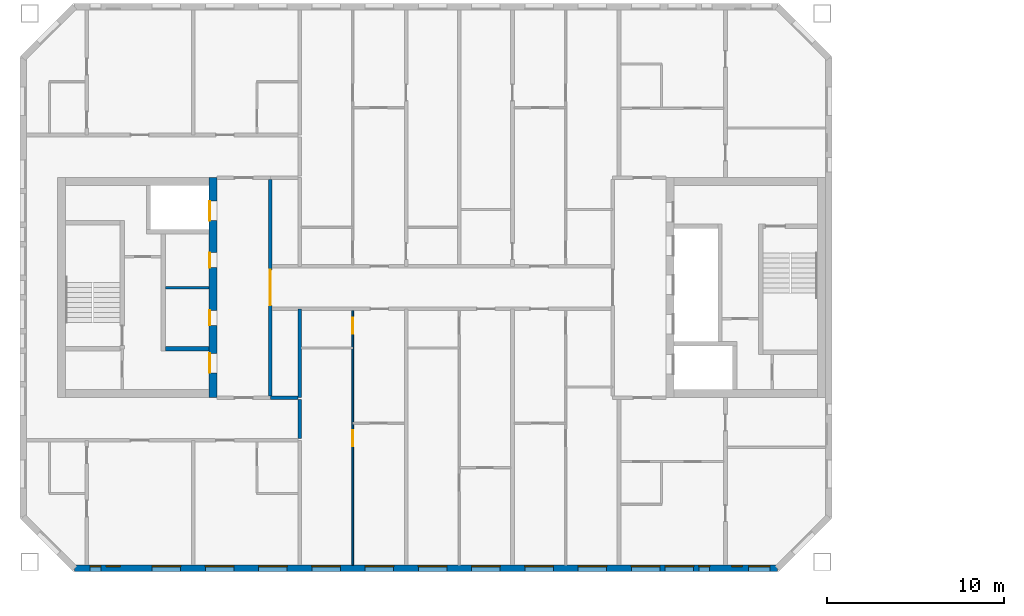
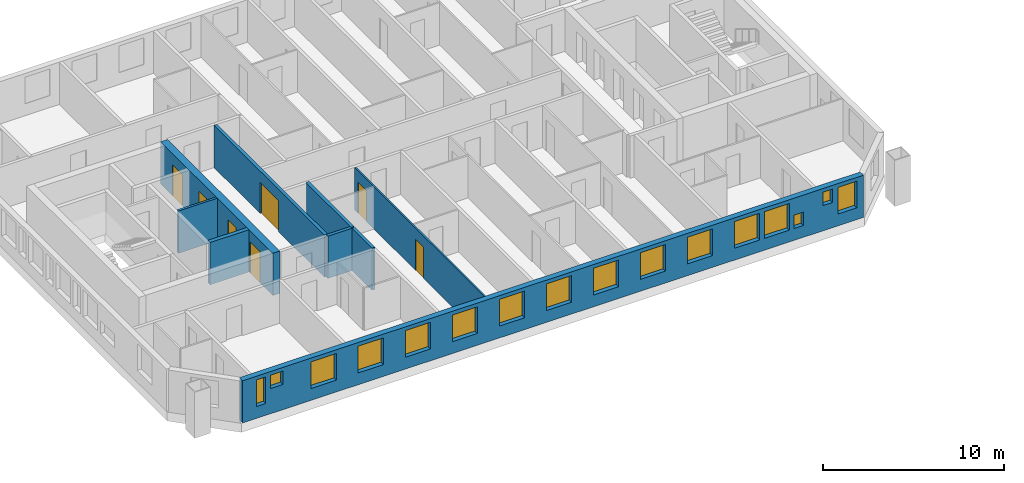
# One storey, part 3 of 16: 16 windows, 9 walls, 7 doors, 23 openings.
"""IFC4 building model written with IfcOpenShell, lengths in metres."""

import ifcopenshell
import ifcopenshell.guid

model = None  # the IFC model being written
_history = None  # IfcOwnerHistory: only IFC2X3 demands one
_inside = {}  # id of a spatial element -> (the spatial element, [elements in it])
_under = {}  # id of a project, library or spatial element -> (it, [spatial elements below it])
_declared = {}  # id of a project -> (the project, [libraries it declares])
_typed = {}  # id of a type object -> (the type object, [elements of that type])
_made_of = {}  # id of a material, layer set ... -> (it, [elements and type objects made of it])


def new_model(schema):
    """Start an empty IFC model of exactly this schema.

    Asked for "IFC4X3", IfcOpenShell would pick the latest addendum, in which some entities
    have other attributes; the version numbers below select the first issue.
    IFC2X3 requires an IfcOwnerHistory on every rooted entity: one is made here for all.
    """
    global model, _history
    if schema == "IFC4X3":
        model = ifcopenshell.file(schema_version=(4, 3, 0, 0))
    else:
        model = ifcopenshell.file(schema=schema)
    _inside.clear()
    _under.clear()
    _declared.clear()
    _typed.clear()
    _made_of.clear()
    _history = None
    if model.schema == "IFC2X3":
        org = make("IfcOrganization", Name="unknown")
        user = make(
            "IfcPersonAndOrganization",
            ThePerson=make("IfcPerson", FamilyName="unknown"),
            TheOrganization=org,
        )
        app = make(
            "IfcApplication",
            ApplicationDeveloper=org,
            Version="unknown",
            ApplicationFullName="unknown",
            ApplicationIdentifier="unknown",
        )
        _history = make(
            "IfcOwnerHistory",
            OwningUser=user,
            OwningApplication=app,
            ChangeAction="ADDED",
            CreationDate=0,
        )
    return model


def make(cls, **values):
    """One entity of the class cls with the attributes given. An attribute that is None is left unset."""
    return model.create_entity(
        cls, **{name: value for name, value in values.items() if value is not None}
    )


def rooted(cls, **values):
    """An entity with a GlobalId (a new one), such as an element, a storey or a relation."""
    return make(cls, GlobalId=ifcopenshell.guid.new(), OwnerHistory=_history, **values)


def si_unit(unit_type, name, prefix=None):
    """IfcSIUnit, for example si_unit("LENGTHUNIT", "METRE", prefix="MILLI")."""
    return make("IfcSIUnit", UnitType=unit_type, Prefix=prefix, Name=name)


def assignment(units):
    """IfcUnitAssignment: the units of a project."""
    return None if units is None else make("IfcUnitAssignment", Units=units)


def point(xyz):
    """IfcCartesianPoint."""
    return None if xyz is None else make("IfcCartesianPoint", Coordinates=xyz)


def direction(xyz):
    """IfcDirection."""
    return None if xyz is None else make("IfcDirection", DirectionRatios=xyz)


def frame(location, z_axis=None, x_axis=None):
    """IfcAxis2Placement3D, a coordinate frame: its origin and axes. An axis left out is left unset."""
    return make(
        "IfcAxis2Placement3D",
        Location=point(location),
        Axis=direction(z_axis),
        RefDirection=direction(x_axis),
    )


def frame_2d(location, x_axis=None):
    """IfcAxis2Placement2D, a coordinate frame in the plane: its origin and x axis."""
    return make(
        "IfcAxis2Placement2D", Location=point(location), RefDirection=direction(x_axis)
    )


def origin():
    """The frame at (0, 0, 0) with its axes left unset."""
    return frame((0.0, 0.0, 0.0))


def place(relative_to, where):
    """IfcLocalPlacement: puts the frame where relative to a parent placement (None: the world)."""
    return make(
        "IfcLocalPlacement", PlacementRelTo=relative_to, RelativePlacement=where
    )


def context(
    kind, dimensions, precision=None, world=None, true_north=None, identifier=None
):
    """IfcGeometricRepresentationContext, for example the 3D "Model" context."""
    return make(
        "IfcGeometricRepresentationContext",
        ContextIdentifier=identifier,
        ContextType=kind,
        CoordinateSpaceDimension=dimensions,
        Precision=precision,
        WorldCoordinateSystem=world,
        TrueNorth=true_north,
    )


def subcontext(parent, identifier, kind, view, scale=None):
    """IfcGeometricRepresentationSubContext, for example "Body" below "Model"."""
    return make(
        "IfcGeometricRepresentationSubContext",
        ContextIdentifier=identifier,
        ContextType=kind,
        ParentContext=parent,
        TargetScale=scale,
        TargetView=view,
    )


def project(units=None, contexts=None):
    """IfcProject with its units and contexts."""
    return rooted(
        "IfcProject",
        Name="project",
        RepresentationContexts=contexts,
        UnitsInContext=assignment(units),
    )


def spatial(cls, under=None, at=None, **own):
    """A site, building, storey or space (cls), placed at a placement, below another one or the project."""
    s = rooted(cls, ObjectPlacement=at, **own)
    if under is not None:
        _under.setdefault(under.id(), (under, []))[1].append(s)
    return s


def profile(cls, at=None, kind="AREA", **sizes):
    """A parametric profile (cls). Its sizes go by their IFC names, for example OverallWidth=200.0."""
    return make(cls, ProfileType=kind, Position=at, **sizes)


def rectangle(**sizes):
    """IfcRectangleProfileDef."""
    return profile("IfcRectangleProfileDef", **sizes)


def extrude(swept, where, along, depth):
    """IfcExtrudedAreaSolid: the profile swept, set in the frame where, extruded along a direction by depth."""
    return make(
        "IfcExtrudedAreaSolid",
        SweptArea=swept,
        Position=where,
        ExtrudedDirection=direction(along),
        Depth=depth,
    )


def shape(context_of_items, identifier, shape_type, items):
    """IfcShapeRepresentation: the items that make up one representation, for example the "Body"."""
    return make(
        "IfcShapeRepresentation",
        ContextOfItems=context_of_items,
        RepresentationIdentifier=identifier,
        RepresentationType=shape_type,
        Items=items,
    )


def material(Name=None, Category=None):
    """IfcMaterial."""
    return make("IfcMaterial", Name=Name, Category=Category)


def layer(
    of_material, thickness, ventilated=None, Name=None, Category=None, Priority=None
):
    """IfcMaterialLayer: one layer of a wall or slab, of a material (None: an air gap)."""
    return make(
        "IfcMaterialLayer",
        Material=of_material,
        LayerThickness=thickness,
        IsVentilated=ventilated,
        Name=Name,
        Category=Category,
        Priority=Priority,
    )


def layer_set(layers, Name=None):
    """IfcMaterialLayerSet."""
    return make("IfcMaterialLayerSet", MaterialLayers=layers, LayerSetName=Name)


def made_of(thing, what):
    """Note that an element or type object is made of a material, layer set ...; save() writes the relation."""
    if what is not None:
        _made_of.setdefault(what.id(), (what, []))[1].append(thing)
    return thing


def type_object(cls, material=None, **own):
    """A type object (cls), such as IfcWallType, which elements share."""
    return made_of(rooted(cls, **own), material)


def element(
    cls,
    number,
    at=None,
    inside=None,
    cuts=None,
    type_object=None,
    material=None,
    context=None,
    identifier="Body",
    shape_type=None,
    held_by="IfcProductDefinitionShape",
    body=None,
    shapes=None,
    **own,
):
    """One element of the class cls, such as IfcWall. Its Tag is "e" and its number.

    at: its placement. inside: the storey or other place that contains it. cuts: it is an
    opening in that element (IfcRelVoidsElement). A single representation is given by context,
    identifier, shape_type and body (its items); several are given by shapes. held_by: the class
    of the entity that holds the representations. save() writes the other relations.
    """
    e = rooted(cls, Tag="e%d" % number, ObjectPlacement=at, **own)
    if body is not None:
        shapes = [shape(context, identifier, shape_type, body)]
    if shapes is not None:
        e.Representation = make(held_by, Representations=shapes)
    if inside is not None:
        _inside.setdefault(inside.id(), (inside, []))[1].append(e)
    if cuts is not None:
        rooted(
            "IfcRelVoidsElement", RelatingBuildingElement=cuts, RelatedOpeningElement=e
        )
    if type_object is not None:
        _typed.setdefault(type_object.id(), (type_object, []))[1].append(e)
    return made_of(e, material)


def fill(opening, filler):
    """IfcRelFillsElement: the door or window that sits in an opening."""
    return rooted(
        "IfcRelFillsElement",
        RelatingOpeningElement=opening,
        RelatedBuildingElement=filler,
    )


def aggregate(whole, parts):
    """IfcRelAggregates: a whole, such as a stair, and the parts it consists of."""
    return rooted("IfcRelAggregates", RelatingObject=whole, RelatedObjects=parts)


def save(model, path):
    """Write the relations noted so far, then the file.

    IfcRelAggregates (storeys below a building ...), IfcRelContainedInSpatialStructure (elements
    in a storey), IfcRelDefinesByType, IfcRelAssociatesMaterial and IfcRelDeclares: one each for
    every whole, place, type object, material and project.
    """
    for whole, parts in _under.values():
        aggregate(whole, parts)
    for where, things in _inside.values():
        rooted(
            "IfcRelContainedInSpatialStructure",
            RelatedElements=things,
            RelatingStructure=where,
        )
    for kind, things in _typed.values():
        rooted("IfcRelDefinesByType", RelatedObjects=things, RelatingType=kind)
    for what, things in _made_of.values():
        rooted("IfcRelAssociatesMaterial", RelatedObjects=things, RelatingMaterial=what)
    for by, libraries in _declared.values():
        rooted("IfcRelDeclares", RelatingContext=by, RelatedDefinitions=libraries)
    model.write(path)


model = new_model("IFC4")

# Units and contexts
model_context = context("Model", 3, precision=1e-05, world=origin(), true_north=direction((0.0, 1.0)))
body_context = subcontext(model_context, "Body", "Model", "MODEL_VIEW")
ifc_project = project(units=[si_unit("LENGTHUNIT", "METRE"), si_unit("AREAUNIT", "SQUARE_METRE"), si_unit("VOLUMEUNIT", "CUBIC_METRE"), si_unit("PLANEANGLEUNIT", "RADIAN"), si_unit("MASSUNIT", "GRAM", prefix="KILO")], contexts=[model_context])

# Site, building, storey
site_placement = place(None, origin())
site = spatial("IfcSite", under=ifc_project, at=site_placement, CompositionType="ELEMENT")
building_placement = place(site_placement, origin())
building = spatial("IfcBuilding", under=site, at=building_placement, Name="Tuart Gate Housing", CompositionType="ELEMENT")
storey_placement = place(building_placement, frame((0.0, 0.0, 175.800048828125)))
storey = spatial("IfcBuildingStorey", under=building, at=storey_placement, Name="L49", CompositionType="ELEMENT", Elevation=175.800048828125)

# Wall, openings, windows
ifc_material_1 = material(Name="Brick", Category="masonry")
ifc_layer_1 = layer(ifc_material_1, 0.360107421875)
ifc_layer_set_1 = layer_set([ifc_layer_1], Name="Brick pier and spandrel wall 360")
wall_type_1 = type_object("IfcWallType", Name="Brick pier and spandrel wall 360", PredefinedType="STANDARD", material=ifc_layer_set_1)
wall_1_placement = place(storey_placement, frame((33.32470703125, 54.179931640625, 0.0), z_axis=(0.0, 0.0, 1.0), x_axis=(1.0, 0.0, 0.0)))
wall_1 = element("IfcWall", 1, at=wall_1_placement, inside=storey, type_object=wall_type_1, Name="External wall A-S L49", PredefinedType="STANDARD", context=body_context, shape_type="SweptSolid", body=[
    extrude(rectangle(XDim=39.600830078125, YDim=0.360107421875, at=frame_2d((19.80029296875, 0.0))), origin(), (0.0, 0.0, 1.0), 2.849853515625),
])
opening_1_placement = place(wall_1_placement, frame((0.87548828125, 0.0, 0.800048828125)))
opening_1 = element("IfcOpeningElement", 2, at=opening_1_placement, cuts=wall_1, Name="Opening W1E", PredefinedType="OPENING", context=body_context, shape_type="SweptSolid", body=[
    extrude(rectangle(XDim=0.60009765625, YDim=1.800048828125, at=frame_2d((0.300048828125, 0.89990234375))), frame((0.0, 0.18994140625, 0.0), z_axis=(0.0, -1.0, 0.0), x_axis=(1.0, 0.0, 0.0)), (0.0, 0.0, 1.0), 0.380126953125),
])
opening_2_placement = place(wall_1_placement, frame((4.37548828125, 0.0, 0.800048828125)))
opening_2 = element("IfcOpeningElement", 3, at=opening_2_placement, cuts=wall_1, Name="Opening W1", PredefinedType="OPENING", context=body_context, shape_type="SweptSolid", body=[
    extrude(rectangle(XDim=1.60009765625, YDim=1.800048828125, at=frame_2d((0.800048828125, 0.89990234375))), frame((0.0, 0.18994140625, 0.0), z_axis=(0.0, -1.0, 0.0), x_axis=(1.0, 0.0, 0.0)), (0.0, 0.0, 1.0), 0.380126953125),
])
opening_3_placement = place(wall_1_placement, frame((7.37548828125, 0.0, 0.800048828125)))
opening_3 = element("IfcOpeningElement", 4, at=opening_3_placement, cuts=wall_1, Name="Opening W1", PredefinedType="OPENING", context=body_context, shape_type="SweptSolid", body=[
    extrude(rectangle(XDim=1.60009765625, YDim=1.800048828125, at=frame_2d((0.800048828125, 0.89990234375))), frame((0.0, 0.18994140625, 0.0), z_axis=(0.0, -1.0, 0.0), x_axis=(1.0, 0.0, 0.0)), (0.0, 0.0, 1.0), 0.380126953125),
])
opening_4_placement = place(wall_1_placement, frame((10.37548828125, 0.0, 0.800048828125)))
opening_4 = element("IfcOpeningElement", 5, at=opening_4_placement, cuts=wall_1, Name="Opening W1", PredefinedType="OPENING", context=body_context, shape_type="SweptSolid", body=[
    extrude(rectangle(XDim=1.60009765625, YDim=1.800048828125, at=frame_2d((0.800048828125, 0.89990234375))), frame((0.0, 0.18994140625, 0.0), z_axis=(0.0, -1.0, 0.0), x_axis=(1.0, 0.0, 0.0)), (0.0, 0.0, 1.0), 0.380126953125),
])
opening_5_placement = place(wall_1_placement, frame((13.37548828125, 0.0, 0.800048828125)))
opening_5 = element("IfcOpeningElement", 6, at=opening_5_placement, cuts=wall_1, Name="Opening W1", PredefinedType="OPENING", context=body_context, shape_type="SweptSolid", body=[
    extrude(rectangle(XDim=1.60009765625, YDim=1.800048828125, at=frame_2d((0.800048828125, 0.89990234375))), frame((0.0, 0.18994140625, 0.0), z_axis=(0.0, -1.0, 0.0), x_axis=(1.0, 0.0, 0.0)), (0.0, 0.0, 1.0), 0.380126953125),
])
opening_6_placement = place(wall_1_placement, frame((16.37548828125, 0.0, 0.800048828125)))
opening_6 = element("IfcOpeningElement", 7, at=opening_6_placement, cuts=wall_1, Name="Opening W1", PredefinedType="OPENING", context=body_context, shape_type="SweptSolid", body=[
    extrude(rectangle(XDim=1.60009765625, YDim=1.800048828125, at=frame_2d((0.800048828125, 0.89990234375))), frame((0.0, 0.18994140625, 0.0), z_axis=(0.0, -1.0, 0.0), x_axis=(1.0, 0.0, 0.0)), (0.0, 0.0, 1.0), 0.380126953125),
])
opening_7_placement = place(wall_1_placement, frame((19.37548828125, 0.0, 0.800048828125)))
opening_7 = element("IfcOpeningElement", 8, at=opening_7_placement, cuts=wall_1, Name="Opening W1", PredefinedType="OPENING", context=body_context, shape_type="SweptSolid", body=[
    extrude(rectangle(XDim=1.60009765625, YDim=1.800048828125, at=frame_2d((0.800048828125, 0.89990234375))), frame((0.0, 0.18994140625, 0.0), z_axis=(0.0, -1.0, 0.0), x_axis=(1.0, 0.0, 0.0)), (0.0, 0.0, 1.0), 0.380126953125),
])
opening_8_placement = place(wall_1_placement, frame((22.37548828125, 0.0, 0.800048828125)))
opening_8 = element("IfcOpeningElement", 9, at=opening_8_placement, cuts=wall_1, Name="Opening W1", PredefinedType="OPENING", context=body_context, shape_type="SweptSolid", body=[
    extrude(rectangle(XDim=1.60009765625, YDim=1.800048828125, at=frame_2d((0.800048828125, 0.89990234375))), frame((0.0, 0.18994140625, 0.0), z_axis=(0.0, -1.0, 0.0), x_axis=(1.0, 0.0, 0.0)), (0.0, 0.0, 1.0), 0.380126953125),
])
opening_9_placement = place(wall_1_placement, frame((25.37548828125, 0.0, 0.800048828125)))
opening_9 = element("IfcOpeningElement", 10, at=opening_9_placement, cuts=wall_1, Name="Opening W1", PredefinedType="OPENING", context=body_context, shape_type="SweptSolid", body=[
    extrude(rectangle(XDim=1.60009765625, YDim=1.800048828125, at=frame_2d((0.800048828125, 0.89990234375))), frame((0.0, 0.18994140625, 0.0), z_axis=(0.0, -1.0, 0.0), x_axis=(1.0, 0.0, 0.0)), (0.0, 0.0, 1.0), 0.380126953125),
])
opening_10_placement = place(wall_1_placement, frame((28.37548828125, 0.0, 0.800048828125)))
opening_10 = element("IfcOpeningElement", 11, at=opening_10_placement, cuts=wall_1, Name="Opening W1", PredefinedType="OPENING", context=body_context, shape_type="SweptSolid", body=[
    extrude(rectangle(XDim=1.60009765625, YDim=1.800048828125, at=frame_2d((0.800048828125, 0.89990234375))), frame((0.0, 0.18994140625, 0.0), z_axis=(0.0, -1.0, 0.0), x_axis=(1.0, 0.0, 0.0)), (0.0, 0.0, 1.0), 0.380126953125),
])
opening_11_placement = place(wall_1_placement, frame((31.37548828125, 0.0, 0.800048828125)))
opening_11 = element("IfcOpeningElement", 12, at=opening_11_placement, cuts=wall_1, Name="Opening W1", PredefinedType="OPENING", context=body_context, shape_type="SweptSolid", body=[
    extrude(rectangle(XDim=1.60009765625, YDim=1.800048828125, at=frame_2d((0.800048828125, 0.89990234375))), frame((0.0, 0.18994140625, 0.0), z_axis=(0.0, -1.0, 0.0), x_axis=(1.0, 0.0, 0.0)), (0.0, 0.0, 1.0), 0.380126953125),
])
opening_12_placement = place(wall_1_placement, frame((33.275390625, 0.0, 0.800048828125)))
opening_12 = element("IfcOpeningElement", 13, at=opening_12_placement, cuts=wall_1, Name="Opening W1", PredefinedType="OPENING", context=body_context, shape_type="SweptSolid", body=[
    extrude(rectangle(XDim=1.60009765625, YDim=1.800048828125, at=frame_2d((0.800048828125, 0.89990234375))), frame((0.0, 0.18994140625, 0.0), z_axis=(0.0, -1.0, 0.0), x_axis=(1.0, 0.0, 0.0)), (0.0, 0.0, 1.0), 0.380126953125),
])
opening_13_placement = place(wall_1_placement, frame((37.025390625, 0.0, 1.699951171875)))
opening_13 = element("IfcOpeningElement", 14, at=opening_13_placement, cuts=wall_1, Name="Opening W1W", PredefinedType="OPENING", context=body_context, shape_type="SweptSolid", body=[
    extrude(rectangle(XDim=0.60009765625, YDim=0.89990234375, at=frame_2d((0.300048828125, 0.449951171875))), frame((0.0, 0.18994140625, 0.0), z_axis=(0.0, -1.0, 0.0), x_axis=(1.0, 0.0, 0.0)), (0.0, 0.0, 1.0), 0.380126953125),
])
opening_14_placement = place(wall_1_placement, frame((1.775390625, 0.0, 1.699951171875)))
opening_14 = element("IfcOpeningElement", 15, at=opening_14_placement, cuts=wall_1, Name="Opening W1V", PredefinedType="OPENING", context=body_context, shape_type="SweptSolid", body=[
    extrude(rectangle(XDim=0.800048828125, YDim=0.89990234375, at=frame_2d((0.39990234375, 0.449951171875))), frame((0.0, 0.18994140625, 0.0), z_axis=(0.0, -1.0, 0.0), x_axis=(1.0, 0.0, 0.0)), (0.0, 0.0, 1.0), 0.380126953125),
])
opening_15_placement = place(wall_1_placement, frame((35.17529296875, 0.0, 0.800048828125)))
opening_15 = element("IfcOpeningElement", 16, at=opening_15_placement, cuts=wall_1, Name="Opening W1W", PredefinedType="OPENING", context=body_context, shape_type="SweptSolid", body=[
    extrude(rectangle(XDim=0.60009765625, YDim=0.89990234375, at=frame_2d((0.300048828125, 0.449951171875))), frame((0.0, 0.18994140625, 0.0), z_axis=(0.0, -1.0, 0.0), x_axis=(1.0, 0.0, 0.0)), (0.0, 0.0, 1.0), 0.380126953125),
])
opening_16_placement = place(wall_1_placement, frame((37.975341796875, 0.0, 0.800048828125)))
opening_16 = element("IfcOpeningElement", 17, at=opening_16_placement, cuts=wall_1, Name="Opening W1B", PredefinedType="OPENING", context=body_context, shape_type="SweptSolid", body=[
    extrude(rectangle(XDim=1.199951171875, YDim=1.800048828125, at=frame_2d((0.60009765625, 0.89990234375))), frame((0.0, 0.18994140625, 0.0), z_axis=(0.0, -1.0, 0.0), x_axis=(1.0, 0.0, 0.0)), (0.0, 0.0, 1.0), 0.380126953125),
])
ifc_material_2 = material(Name="Aluminium frame with clear glass", Category="aluminium")
window_type_1 = type_object("IfcWindowType", Name="Punched window 1200 x 1800", PartitioningType="SINGLE_PANEL", PredefinedType="WINDOW", material=ifc_material_2)
window_1_placement = place(opening_16_placement, origin())
window_1 = element("IfcWindow", 18, at=window_1_placement, inside=storey, type_object=window_type_1, Name="Window W1B", OverallHeight=1.800048828125, OverallWidth=1.199951171875, PartitioningType="SINGLE_PANEL", PredefinedType="WINDOW", context=body_context, shape_type="SweptSolid", body=[
    extrude(rectangle(XDim=1.199951171875, YDim=1.800048828125, at=frame_2d((0.60009765625, 0.89990234375))), frame((0.0, 0.150146484375, 0.0), z_axis=(0.0, -1.0, 0.0), x_axis=(1.0, 0.0, 0.0)), (0.0, 0.0, 1.0), 0.06005859375),
])
fill(opening_16, window_1)
ifc_material_3 = material(Name="Aluminium frame with clear glass", Category="aluminium")
window_type_2 = type_object("IfcWindowType", Name="Punched window 1600 x 1800", PartitioningType="SINGLE_PANEL", PredefinedType="WINDOW", material=ifc_material_3)
window_2_placement = place(opening_2_placement, origin())
window_2 = element("IfcWindow", 19, at=window_2_placement, inside=storey, type_object=window_type_2, Name="Window W1", OverallHeight=1.800048828125, OverallWidth=1.60009765625, PartitioningType="SINGLE_PANEL", PredefinedType="WINDOW", context=body_context, shape_type="SweptSolid", body=[
    extrude(rectangle(XDim=1.60009765625, YDim=1.800048828125, at=frame_2d((0.800048828125, 0.89990234375))), frame((0.0, 0.150146484375, 0.0), z_axis=(0.0, -1.0, 0.0), x_axis=(1.0, 0.0, 0.0)), (0.0, 0.0, 1.0), 0.06005859375),
])
fill(opening_2, window_2)
window_3_placement = place(opening_3_placement, origin())
window_3 = element("IfcWindow", 20, at=window_3_placement, inside=storey, type_object=window_type_2, Name="Window W1", OverallHeight=1.800048828125, OverallWidth=1.60009765625, PartitioningType="SINGLE_PANEL", PredefinedType="WINDOW", context=body_context, shape_type="SweptSolid", body=[
    extrude(rectangle(XDim=1.60009765625, YDim=1.800048828125, at=frame_2d((0.800048828125, 0.89990234375))), frame((0.0, 0.150146484375, 0.0), z_axis=(0.0, -1.0, 0.0), x_axis=(1.0, 0.0, 0.0)), (0.0, 0.0, 1.0), 0.06005859375),
])
fill(opening_3, window_3)
window_4_placement = place(opening_4_placement, origin())
window_4 = element("IfcWindow", 21, at=window_4_placement, inside=storey, type_object=window_type_2, Name="Window W1", OverallHeight=1.800048828125, OverallWidth=1.60009765625, PartitioningType="SINGLE_PANEL", PredefinedType="WINDOW", context=body_context, shape_type="SweptSolid", body=[
    extrude(rectangle(XDim=1.60009765625, YDim=1.800048828125, at=frame_2d((0.800048828125, 0.89990234375))), frame((0.0, 0.150146484375, 0.0), z_axis=(0.0, -1.0, 0.0), x_axis=(1.0, 0.0, 0.0)), (0.0, 0.0, 1.0), 0.06005859375),
])
fill(opening_4, window_4)
window_5_placement = place(opening_5_placement, origin())
window_5 = element("IfcWindow", 22, at=window_5_placement, inside=storey, type_object=window_type_2, Name="Window W1", OverallHeight=1.800048828125, OverallWidth=1.60009765625, PartitioningType="SINGLE_PANEL", PredefinedType="WINDOW", context=body_context, shape_type="SweptSolid", body=[
    extrude(rectangle(XDim=1.60009765625, YDim=1.800048828125, at=frame_2d((0.800048828125, 0.89990234375))), frame((0.0, 0.150146484375, 0.0), z_axis=(0.0, -1.0, 0.0), x_axis=(1.0, 0.0, 0.0)), (0.0, 0.0, 1.0), 0.06005859375),
])
fill(opening_5, window_5)
window_6_placement = place(opening_6_placement, origin())
window_6 = element("IfcWindow", 23, at=window_6_placement, inside=storey, type_object=window_type_2, Name="Window W1", OverallHeight=1.800048828125, OverallWidth=1.60009765625, PartitioningType="SINGLE_PANEL", PredefinedType="WINDOW", context=body_context, shape_type="SweptSolid", body=[
    extrude(rectangle(XDim=1.60009765625, YDim=1.800048828125, at=frame_2d((0.800048828125, 0.89990234375))), frame((0.0, 0.150146484375, 0.0), z_axis=(0.0, -1.0, 0.0), x_axis=(1.0, 0.0, 0.0)), (0.0, 0.0, 1.0), 0.06005859375),
])
fill(opening_6, window_6)
window_7_placement = place(opening_7_placement, origin())
window_7 = element("IfcWindow", 24, at=window_7_placement, inside=storey, type_object=window_type_2, Name="Window W1", OverallHeight=1.800048828125, OverallWidth=1.60009765625, PartitioningType="SINGLE_PANEL", PredefinedType="WINDOW", context=body_context, shape_type="SweptSolid", body=[
    extrude(rectangle(XDim=1.60009765625, YDim=1.800048828125, at=frame_2d((0.800048828125, 0.89990234375))), frame((0.0, 0.150146484375, 0.0), z_axis=(0.0, -1.0, 0.0), x_axis=(1.0, 0.0, 0.0)), (0.0, 0.0, 1.0), 0.06005859375),
])
fill(opening_7, window_7)
window_8_placement = place(opening_8_placement, origin())
window_8 = element("IfcWindow", 25, at=window_8_placement, inside=storey, type_object=window_type_2, Name="Window W1", OverallHeight=1.800048828125, OverallWidth=1.60009765625, PartitioningType="SINGLE_PANEL", PredefinedType="WINDOW", context=body_context, shape_type="SweptSolid", body=[
    extrude(rectangle(XDim=1.60009765625, YDim=1.800048828125, at=frame_2d((0.800048828125, 0.89990234375))), frame((0.0, 0.150146484375, 0.0), z_axis=(0.0, -1.0, 0.0), x_axis=(1.0, 0.0, 0.0)), (0.0, 0.0, 1.0), 0.06005859375),
])
fill(opening_8, window_8)
window_9_placement = place(opening_9_placement, origin())
window_9 = element("IfcWindow", 26, at=window_9_placement, inside=storey, type_object=window_type_2, Name="Window W1", OverallHeight=1.800048828125, OverallWidth=1.60009765625, PartitioningType="SINGLE_PANEL", PredefinedType="WINDOW", context=body_context, shape_type="SweptSolid", body=[
    extrude(rectangle(XDim=1.60009765625, YDim=1.800048828125, at=frame_2d((0.800048828125, 0.89990234375))), frame((0.0, 0.150146484375, 0.0), z_axis=(0.0, -1.0, 0.0), x_axis=(1.0, 0.0, 0.0)), (0.0, 0.0, 1.0), 0.06005859375),
])
fill(opening_9, window_9)
window_10_placement = place(opening_10_placement, origin())
window_10 = element("IfcWindow", 27, at=window_10_placement, inside=storey, type_object=window_type_2, Name="Window W1", OverallHeight=1.800048828125, OverallWidth=1.60009765625, PartitioningType="SINGLE_PANEL", PredefinedType="WINDOW", context=body_context, shape_type="SweptSolid", body=[
    extrude(rectangle(XDim=1.60009765625, YDim=1.800048828125, at=frame_2d((0.800048828125, 0.89990234375))), frame((0.0, 0.150146484375, 0.0), z_axis=(0.0, -1.0, 0.0), x_axis=(1.0, 0.0, 0.0)), (0.0, 0.0, 1.0), 0.06005859375),
])
fill(opening_10, window_10)
window_11_placement = place(opening_11_placement, origin())
window_11 = element("IfcWindow", 28, at=window_11_placement, inside=storey, type_object=window_type_2, Name="Window W1", OverallHeight=1.800048828125, OverallWidth=1.60009765625, PartitioningType="SINGLE_PANEL", PredefinedType="WINDOW", context=body_context, shape_type="SweptSolid", body=[
    extrude(rectangle(XDim=1.60009765625, YDim=1.800048828125, at=frame_2d((0.800048828125, 0.89990234375))), frame((0.0, 0.150146484375, 0.0), z_axis=(0.0, -1.0, 0.0), x_axis=(1.0, 0.0, 0.0)), (0.0, 0.0, 1.0), 0.06005859375),
])
fill(opening_11, window_11)
window_12_placement = place(opening_12_placement, origin())
window_12 = element("IfcWindow", 29, at=window_12_placement, inside=storey, type_object=window_type_2, Name="Window W1", OverallHeight=1.800048828125, OverallWidth=1.60009765625, PartitioningType="SINGLE_PANEL", PredefinedType="WINDOW", context=body_context, shape_type="SweptSolid", body=[
    extrude(rectangle(XDim=1.60009765625, YDim=1.800048828125, at=frame_2d((0.800048828125, 0.89990234375))), frame((0.0, 0.150146484375, 0.0), z_axis=(0.0, -1.0, 0.0), x_axis=(1.0, 0.0, 0.0)), (0.0, 0.0, 1.0), 0.06005859375),
])
fill(opening_12, window_12)
ifc_material_4 = material(Name="Aluminium frame with clear glass", Category="aluminium")
window_type_3 = type_object("IfcWindowType", Name="Punched window 600 x 1800", PartitioningType="SINGLE_PANEL", PredefinedType="WINDOW", material=ifc_material_4)
window_13_placement = place(opening_1_placement, origin())
window_13 = element("IfcWindow", 30, at=window_13_placement, inside=storey, type_object=window_type_3, Name="Window W1E", OverallHeight=1.800048828125, OverallWidth=0.60009765625, PartitioningType="SINGLE_PANEL", PredefinedType="WINDOW", context=body_context, shape_type="SweptSolid", body=[
    extrude(rectangle(XDim=0.60009765625, YDim=1.800048828125, at=frame_2d((0.300048828125, 0.89990234375))), frame((0.0, 0.150146484375, 0.0), z_axis=(0.0, -1.0, 0.0), x_axis=(1.0, 0.0, 0.0)), (0.0, 0.0, 1.0), 0.06005859375),
])
fill(opening_1, window_13)
ifc_material_5 = material(Name="Aluminium frame with clear glass", Category="aluminium")
window_type_4 = type_object("IfcWindowType", Name="Punched window 600 x 900", PartitioningType="SINGLE_PANEL", PredefinedType="WINDOW", material=ifc_material_5)
window_14_placement = place(opening_13_placement, origin())
window_14 = element("IfcWindow", 31, at=window_14_placement, inside=storey, type_object=window_type_4, Name="Window W1W", OverallHeight=0.89990234375, OverallWidth=0.60009765625, PartitioningType="SINGLE_PANEL", PredefinedType="WINDOW", context=body_context, shape_type="SweptSolid", body=[
    extrude(rectangle(XDim=0.60009765625, YDim=0.89990234375, at=frame_2d((0.300048828125, 0.449951171875))), frame((0.0, 0.150146484375, 0.0), z_axis=(0.0, -1.0, 0.0), x_axis=(1.0, 0.0, 0.0)), (0.0, 0.0, 1.0), 0.06005859375),
])
fill(opening_13, window_14)
window_15_placement = place(opening_15_placement, origin())
window_15 = element("IfcWindow", 32, at=window_15_placement, inside=storey, type_object=window_type_4, Name="Window W1W", OverallHeight=0.89990234375, OverallWidth=0.60009765625, PartitioningType="SINGLE_PANEL", PredefinedType="WINDOW", context=body_context, shape_type="SweptSolid", body=[
    extrude(rectangle(XDim=0.60009765625, YDim=0.89990234375, at=frame_2d((0.300048828125, 0.449951171875))), frame((0.0, 0.150146484375, 0.0), z_axis=(0.0, -1.0, 0.0), x_axis=(1.0, 0.0, 0.0)), (0.0, 0.0, 1.0), 0.06005859375),
])
fill(opening_15, window_15)
ifc_material_6 = material(Name="Aluminium frame with clear glass", Category="aluminium")
window_type_5 = type_object("IfcWindowType", Name="Punched window 800 x 900", PartitioningType="SINGLE_PANEL", PredefinedType="WINDOW", material=ifc_material_6)
window_16_placement = place(opening_14_placement, origin())
window_16 = element("IfcWindow", 33, at=window_16_placement, inside=storey, type_object=window_type_5, Name="Window W1V", OverallHeight=0.89990234375, OverallWidth=0.800048828125, PartitioningType="SINGLE_PANEL", PredefinedType="WINDOW", context=body_context, shape_type="SweptSolid", body=[
    extrude(rectangle(XDim=0.800048828125, YDim=0.89990234375, at=frame_2d((0.39990234375, 0.449951171875))), frame((0.0, 0.150146484375, 0.0), z_axis=(0.0, -1.0, 0.0), x_axis=(1.0, 0.0, 0.0)), (0.0, 0.0, 1.0), 0.06005859375),
])
fill(opening_14, window_16)

# Walls
ifc_material_7 = material(Name="Plasterboard partition")
ifc_layer_2 = layer(ifc_material_7, 0.14990234375)
ifc_layer_set_2 = layer_set([ifc_layer_2], Name="Core partition 150")
wall_type_2 = type_object("IfcWallType", Name="Core partition 150", PredefinedType="PARTITIONING", material=ifc_layer_set_2)
wall_2_placement = place(storey_placement, frame((40.909912109375, 70.0, 0.0), z_axis=(0.0, 0.0, 1.0), x_axis=(-1.0, 0.0, 0.0)))
element("IfcWall", 34, at=wall_2_placement, inside=storey, type_object=wall_type_2, Name="Core partition AK.4", PredefinedType="PARTITIONING", context=body_context, shape_type="SweptSolid", body=[
    extrude(rectangle(XDim=2.474853515625, YDim=0.14990234375, at=frame_2d((1.2373046875, 0.0))), origin(), (0.0, 0.0, 1.0), 2.849853515625),
])
ifc_material_8 = material(Name="Concrete C40", Category="concrete")
ifc_layer_3 = layer(ifc_material_8, 0.25)
ifc_layer_set_3 = layer_set([ifc_layer_3], Name="Core wall 250 C40")
wall_type_3 = type_object("IfcWallType", Name="Core wall 250 C40", PredefinedType="SHEAR", material=ifc_layer_set_3)
wall_3_placement = place(storey_placement, frame((40.909912109375, 66.550048828125, 0.0), z_axis=(0.0, 0.0, 1.0), x_axis=(-1.0, 0.0, 0.0)))
element("IfcWall", 35, at=wall_3_placement, inside=storey, type_object=wall_type_3, Name="Core wall AK.5", PredefinedType="SHEAR", context=body_context, shape_type="SweptSolid", body=[
    extrude(rectangle(XDim=2.474853515625, YDim=0.25, at=frame_2d((1.2373046875, 0.0))), origin(), (0.0, 0.0, 1.0), 2.849853515625),
])

# Wall, openings, doors
ifc_material_9 = material(Name="Concrete C40", Category="concrete")
ifc_layer_4 = layer(ifc_material_9, 0.449951171875)
ifc_layer_set_4 = layer_set([ifc_layer_4], Name="Core wall 450 C40")
wall_type_4 = type_object("IfcWallType", Name="Core wall 450 C40", PredefinedType="SHEAR", material=ifc_layer_set_4)
wall_4_placement = place(storey_placement, frame((41.135009765625, 76.199951171875, 0.0), z_axis=(0.0, 0.0, 1.0), x_axis=(0.0, -1.0, 0.0)))
wall_4 = element("IfcWall", 36, at=wall_4_placement, inside=storey, type_object=wall_type_4, Name="Core wall AK front", PredefinedType="SHEAR", context=body_context, shape_type="SweptSolid", body=[
    extrude(rectangle(XDim=12.39990234375, YDim=0.449951171875, at=frame_2d((6.199951171875, 0.0))), origin(), (0.0, 0.0, 1.0), 2.849853515625),
])
opening_17_placement = place(wall_4_placement, frame((1.324951171875, 0.0, 0.0)))
opening_17 = element("IfcOpeningElement", 37, at=opening_17_placement, cuts=wall_4, Name="Opening LD-FA2", PredefinedType="OPENING", context=body_context, shape_type="SweptSolid", body=[
    extrude(rectangle(XDim=1.10009765625, YDim=2.10009765625, at=frame_2d((0.550048828125, 1.050048828125))), frame((0.0, 0.23486328125, 0.0), z_axis=(0.0, -1.0, 0.0), x_axis=(1.0, 0.0, 0.0)), (0.0, 0.0, 1.0), 0.469970703125),
])
opening_18_placement = place(wall_4_placement, frame((4.22509765625, 0.0, 0.0)))
opening_18 = element("IfcOpeningElement", 38, at=opening_18_placement, cuts=wall_4, Name="Opening D1760", PredefinedType="OPENING", context=body_context, shape_type="SweptSolid", body=[
    extrude(rectangle(XDim=0.85009765625, YDim=2.10009765625, at=frame_2d((0.425048828125, 1.050048828125))), frame((0.0, 0.23486328125, 0.0), z_axis=(0.0, -1.0, 0.0), x_axis=(1.0, 0.0, 0.0)), (0.0, 0.0, 1.0), 0.469970703125),
])
opening_19_placement = place(wall_4_placement, frame((7.47509765625, 0.0, 0.0)))
opening_19 = element("IfcOpeningElement", 39, at=opening_19_placement, cuts=wall_4, Name="Opening D1761", PredefinedType="OPENING", context=body_context, shape_type="SweptSolid", body=[
    extrude(rectangle(XDim=0.85009765625, YDim=2.10009765625, at=frame_2d((0.425048828125, 1.050048828125))), frame((0.0, 0.23486328125, 0.0), z_axis=(0.0, -1.0, 0.0), x_axis=(1.0, 0.0, 0.0)), (0.0, 0.0, 1.0), 0.469970703125),
])
opening_20_placement = place(wall_4_placement, frame((9.89990234375, 0.0, 0.0)))
opening_20 = element("IfcOpeningElement", 40, at=opening_20_placement, cuts=wall_4, Name="Opening D1759", PredefinedType="OPENING", context=body_context, shape_type="SweptSolid", body=[
    extrude(rectangle(XDim=1.10009765625, YDim=2.10009765625, at=frame_2d((0.550048828125, 1.050048828125))), frame((0.0, 0.23486328125, 0.0), z_axis=(0.0, -1.0, 0.0), x_axis=(1.0, 0.0, 0.0)), (0.0, 0.0, 1.0), 0.469970703125),
])
ifc_material_10 = material(Name="Stainless steel", Category="steel")
door_type_1 = type_object("IfcDoorType", Name="Landing door 1100 x 2100", OperationType="DOUBLE_DOOR_SLIDING", PredefinedType="DOOR", material=ifc_material_10)
door_1_placement = place(opening_17_placement, origin())
door_1 = element("IfcDoor", 41, at=door_1_placement, inside=storey, type_object=door_type_1, Name="Lift landing door FA2", OperationType="DOUBLE_DOOR_SLIDING", OverallHeight=2.10009765625, OverallWidth=1.10009765625, PredefinedType="DOOR", context=body_context, shape_type="SweptSolid", body=[
    extrude(rectangle(XDim=1.10009765625, YDim=2.10009765625, at=frame_2d((0.550048828125, 1.050048828125))), frame((0.0, -0.16015625, 0.0), z_axis=(0.0, -1.0, 0.0), x_axis=(1.0, 0.0, 0.0)), (0.0, 0.0, 1.0), 0.050048828125),
])
fill(opening_17, door_1)
ifc_material_11 = material(Name="Steel fire door", Category="steel")
door_type_2 = type_object("IfcDoorType", Name="Lobby door 1100 x 2100 RH", OperationType="SINGLE_SWING_RIGHT", PredefinedType="DOOR", material=ifc_material_11)
door_2_placement = place(opening_20_placement, frame((1.10009765625, 0.0, 0.0), z_axis=(0.0, 0.0, 1.0), x_axis=(-1.0, 0.0, 0.0)))
door_2 = element("IfcDoor", 42, at=door_2_placement, inside=storey, type_object=door_type_2, Name="Lobby entry door AK.EN", OperationType="SINGLE_SWING_RIGHT", OverallHeight=2.10009765625, OverallWidth=1.10009765625, PredefinedType="DOOR", context=body_context, shape_type="SweptSolid", body=[
    extrude(rectangle(XDim=1.10009765625, YDim=2.10009765625, at=frame_2d((0.550048828125, 1.050048828125))), frame((0.0, 0.210205078125, 0.0), z_axis=(0.0, -1.0, 0.0), x_axis=(1.0, 0.0, 0.0)), (0.0, 0.0, 1.0), 0.050048828125),
])
fill(opening_20, door_2)
ifc_material_12 = material(Name="Steel fire door", Category="steel")
door_type_3 = type_object("IfcDoorType", Name="Service door 850 x 2100 RH", OperationType="SINGLE_SWING_RIGHT", PredefinedType="DOOR", material=ifc_material_12)
door_3_placement = place(opening_18_placement, frame((0.85009765625, 0.0, 0.0), z_axis=(0.0, 0.0, 1.0), x_axis=(-1.0, 0.0, 0.0)))
door_3 = element("IfcDoor", 43, at=door_3_placement, inside=storey, type_object=door_type_3, Name="Service room door AK.FR1", OperationType="SINGLE_SWING_RIGHT", OverallHeight=2.10009765625, OverallWidth=0.85009765625, PredefinedType="DOOR", context=body_context, shape_type="SweptSolid", body=[
    extrude(rectangle(XDim=0.85009765625, YDim=2.10009765625, at=frame_2d((0.425048828125, 1.050048828125))), frame((0.0, 0.210205078125, 0.0), z_axis=(0.0, -1.0, 0.0), x_axis=(1.0, 0.0, 0.0)), (0.0, 0.0, 1.0), 0.050048828125),
])
fill(opening_18, door_3)
door_4_placement = place(opening_19_placement, frame((0.85009765625, 0.0, 0.0), z_axis=(0.0, 0.0, 1.0), x_axis=(-1.0, 0.0, 0.0)))
door_4 = element("IfcDoor", 44, at=door_4_placement, inside=storey, type_object=door_type_3, Name="Service room door AK.FR2", OperationType="SINGLE_SWING_RIGHT", OverallHeight=2.10009765625, OverallWidth=0.85009765625, PredefinedType="DOOR", context=body_context, shape_type="SweptSolid", body=[
    extrude(rectangle(XDim=0.85009765625, YDim=2.10009765625, at=frame_2d((0.425048828125, 1.050048828125))), frame((0.0, 0.210205078125, 0.0), z_axis=(0.0, -1.0, 0.0), x_axis=(1.0, 0.0, 0.0)), (0.0, 0.0, 1.0), 0.050048828125),
])
fill(opening_19, door_4)

# Walls
ifc_material_13 = material(Name="Concrete masonry 15 MPa", Category="masonry")
ifc_layer_5 = layer(ifc_material_13, 0.199951171875)
ifc_layer_set_5 = layer_set([ifc_layer_5], Name="Corridor wall masonry 200")
wall_type_5 = type_object("IfcWallType", Name="Corridor wall masonry 200", PredefinedType="PARTITIONING", material=ifc_layer_set_5)
wall_5_placement = place(storey_placement, frame((44.360107421875, 63.800048828125, 0.0), z_axis=(0.0, 0.0, 1.0), x_axis=(1.0, 0.0, 0.0)))
element("IfcWall", 45, at=wall_5_placement, inside=storey, type_object=wall_type_5, Name="Corridor wall masonry 200", PredefinedType="PARTITIONING", context=body_context, shape_type="SweptSolid", body=[
    extrude(rectangle(XDim=1.539794921875, YDim=0.199951171875, at=frame_2d((0.77001953125, 0.0))), origin(), (0.0, 0.0, 1.0), 2.849853515625),
])
wall_6_placement = place(storey_placement, frame((46.0, 61.5, 0.0), z_axis=(0.0, 0.0, 1.0), x_axis=(0.0, 1.0, 0.0)))
element("IfcWall", 46, at=wall_6_placement, inside=storey, type_object=wall_type_5, Name="Corridor wall masonry 200", PredefinedType="PARTITIONING", context=body_context, shape_type="SweptSolid", body=[
    extrude(rectangle(XDim=2.199951171875, YDim=0.199951171875, at=frame_2d((1.10009765625, 0.0))), origin(), (0.0, 0.0, 1.0), 2.849853515625),
])

# Wall, opening, door
ifc_material_14 = material(Name="Plasterboard partition")
ifc_layer_6 = layer(ifc_material_14, 0.199951171875)
ifc_layer_set_6 = layer_set([ifc_layer_6], Name="Lobby wall 200")
wall_type_6 = type_object("IfcWallType", Name="Lobby wall 200", PredefinedType="PARTITIONING", material=ifc_layer_set_6)
wall_7_placement = place(storey_placement, frame((44.360107421875, 63.89990234375, 0.0), z_axis=(0.0, 0.0, 1.0), x_axis=(0.0, 1.0, 0.0)))
wall_7 = element("IfcWall", 47, at=wall_7_placement, inside=storey, type_object=wall_type_6, Name="Lift lobby wall AK", PredefinedType="PARTITIONING", context=body_context, shape_type="SweptSolid", body=[
    extrude(rectangle(XDim=12.2001953125, YDim=0.199951171875, at=frame_2d((6.10009765625, 0.0))), origin(), (0.0, 0.0, 1.0), 2.849853515625),
])
opening_21_placement = place(wall_7_placement, frame((5.10009765625, 0.0, 0.0)))
opening_21 = element("IfcOpeningElement", 48, at=opening_21_placement, cuts=wall_7, Name="Opening D1762", PredefinedType="OPENING", context=body_context, shape_type="SweptSolid", body=[
    extrude(rectangle(XDim=2.0, YDim=2.10009765625, at=frame_2d((1.0, 1.050048828125))), frame((0.0, 0.10986328125, 0.0), z_axis=(0.0, -1.0, 0.0), x_axis=(1.0, 0.0, 0.0)), (0.0, 0.0, 1.0), 0.219970703125),
])
ifc_material_15 = material(Name="Steel fire door", Category="steel")
door_type_4 = type_object("IfcDoorType", Name="Smoke door 2000 x 2100", OperationType="DOUBLE_DOOR_SINGLE_SWING", PredefinedType="DOOR", material=ifc_material_15)
door_5_placement = place(opening_21_placement, origin())
door_5 = element("IfcDoor", 49, at=door_5_placement, inside=storey, type_object=door_type_4, Name="Lift lobby smoke door AK", OperationType="DOUBLE_DOOR_SINGLE_SWING", OverallHeight=2.10009765625, OverallWidth=2.0, PredefinedType="DOOR", context=body_context, shape_type="SweptSolid", body=[
    extrude(rectangle(XDim=2.0, YDim=2.10009765625, at=frame_2d((1.0, 1.050048828125))), frame((0.0, 0.02490234375, 0.0), z_axis=(0.0, -1.0, 0.0), x_axis=(1.0, 0.0, 0.0)), (0.0, 0.0, 1.0), 0.050048828125),
])
fill(opening_21, door_5)

# Wall, openings, doors
ifc_material_16 = material(Name="Gypsum board on steel studs", Category="steel")
ifc_layer_7 = layer(ifc_material_16, 0.10009765625)
ifc_layer_set_7 = layer_set([ifc_layer_7], Name="Partition 100")
wall_type_7 = type_object("IfcWallType", Name="Partition 100", PredefinedType="PARTITIONING", material=ifc_layer_set_7)
wall_8_placement = place(storey_placement, frame((49.0, 54.360107421875, 0.0), z_axis=(0.0, 0.0, 1.0), x_axis=(0.0, 1.0, 0.0)))
wall_8 = element("IfcWall", 50, at=wall_8_placement, inside=storey, type_object=wall_type_7, Name="Partition 100", PredefinedType="PARTITIONING", context=body_context, shape_type="SweptSolid", body=[
    extrude(rectangle(XDim=14.33984375, YDim=0.10009765625, at=frame_2d((7.169921875, 0.0))), origin(), (0.0, 0.0, 1.0), 2.849853515625),
])
opening_22_placement = place(wall_8_placement, frame((6.699951171875, 0.0, 0.0)))
opening_22 = element("IfcOpeningElement", 51, at=opening_22_placement, cuts=wall_8, Name="Opening D1776", PredefinedType="OPENING", context=body_context, shape_type="SweptSolid", body=[
    extrude(rectangle(XDim=0.89990234375, YDim=2.10009765625, at=frame_2d((0.449951171875, 1.050048828125))), frame((0.0, 0.06005859375, 0.0), z_axis=(0.0, -1.0, 0.0), x_axis=(1.0, 0.0, 0.0)), (0.0, 0.0, 1.0), 0.1201171875),
])
opening_23_placement = place(wall_8_placement, frame((13.0400390625, 0.0, 0.0)))
opening_23 = element("IfcOpeningElement", 52, at=opening_23_placement, cuts=wall_8, Name="Opening D1775", PredefinedType="OPENING", context=body_context, shape_type="SweptSolid", body=[
    extrude(rectangle(XDim=0.89990234375, YDim=2.10009765625, at=frame_2d((0.449951171875, 1.050048828125))), frame((0.0, 0.06005859375, 0.0), z_axis=(0.0, -1.0, 0.0), x_axis=(1.0, 0.0, 0.0)), (0.0, 0.0, 1.0), 0.1201171875),
])
ifc_material_17 = material(Name="Timber door leaf in steel frame", Category="steel")
door_type_5 = type_object("IfcDoorType", Name="Bathroom door 900 RH", OperationType="SINGLE_SWING_RIGHT", PredefinedType="DOOR", material=ifc_material_17)
door_6_placement = place(opening_23_placement, origin())
door_6 = element("IfcDoor", 53, at=door_6_placement, inside=storey, type_object=door_type_5, Name="Bathroom door", OperationType="SINGLE_SWING_RIGHT", OverallHeight=2.10009765625, OverallWidth=0.89990234375, PredefinedType="DOOR", context=body_context, shape_type="SweptSolid", body=[
    extrude(rectangle(XDim=0.89990234375, YDim=2.10009765625, at=frame_2d((0.449951171875, 1.050048828125))), frame((0.0, 0.02490234375, 0.0), z_axis=(0.0, -1.0, 0.0), x_axis=(1.0, 0.0, 0.0)), (0.0, 0.0, 1.0), 0.050048828125),
])
fill(opening_23, door_6)
ifc_material_18 = material(Name="Timber door leaf in steel frame", Category="steel")
door_type_6 = type_object("IfcDoorType", Name="Internal door 900 RH", OperationType="SINGLE_SWING_RIGHT", PredefinedType="DOOR", material=ifc_material_18)
door_7_placement = place(opening_22_placement, origin())
door_7 = element("IfcDoor", 54, at=door_7_placement, inside=storey, type_object=door_type_6, Name="Internal door", OperationType="SINGLE_SWING_RIGHT", OverallHeight=2.10009765625, OverallWidth=0.89990234375, PredefinedType="DOOR", context=body_context, shape_type="SweptSolid", body=[
    extrude(rectangle(XDim=0.89990234375, YDim=2.10009765625, at=frame_2d((0.449951171875, 1.050048828125))), frame((0.0, 0.02490234375, 0.0), z_axis=(0.0, -1.0, 0.0), x_axis=(1.0, 0.0, 0.0)), (0.0, 0.0, 1.0), 0.050048828125),
])
fill(opening_22, door_7)

# Wall
ifc_material_19 = material(Name="Concrete C40", Category="concrete")
ifc_layer_8 = layer(ifc_material_19, 0.199951171875)
ifc_layer_set_8 = layer_set([ifc_layer_8], Name="Party wall concrete C40 200")
wall_type_8 = type_object("IfcWallType", Name="Party wall concrete C40 200", PredefinedType="SOLIDWALL", material=ifc_layer_set_8)
wall_9_placement = place(storey_placement, frame((46.0, 63.800048828125, 0.0), z_axis=(0.0, 0.0, 1.0), x_axis=(0.0, 1.0, 0.0)))
element("IfcWall", 55, at=wall_9_placement, inside=storey, type_object=wall_type_8, Name="Party wall concrete C40 200", PredefinedType="SOLIDWALL", context=body_context, shape_type="SweptSolid", body=[
    extrude(rectangle(XDim=5.0, YDim=0.199951171875, at=frame_2d((2.5, 0.0))), origin(), (0.0, 0.0, 1.0), 2.849853515625),
])

save(model, "model.ifc")
